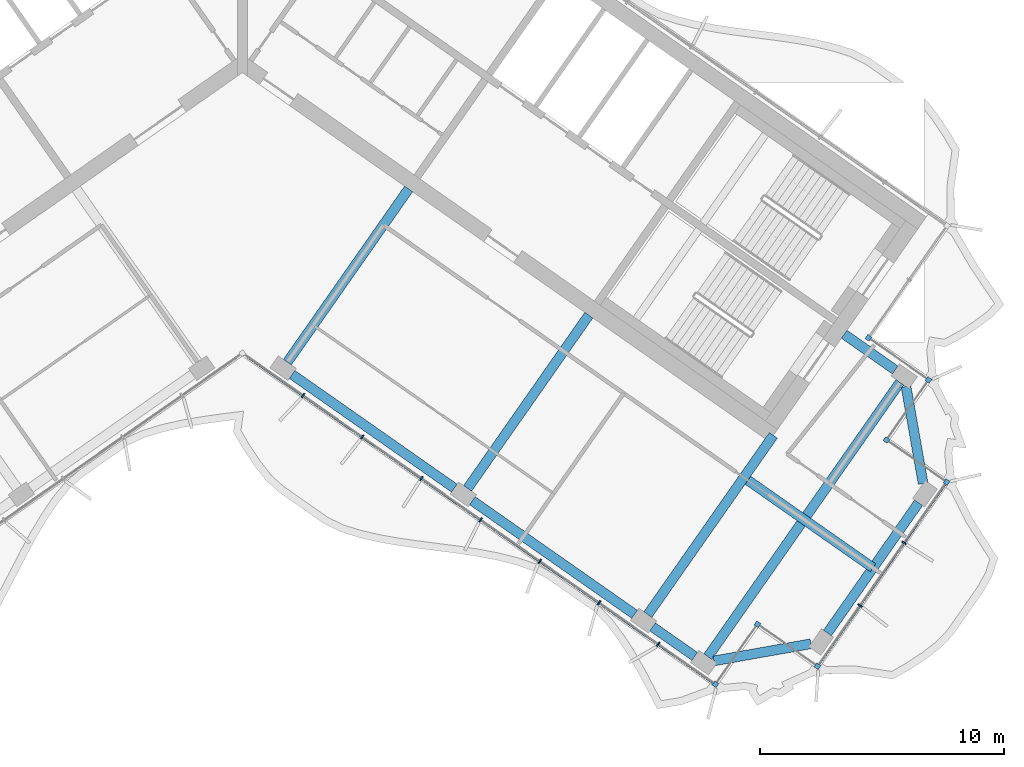
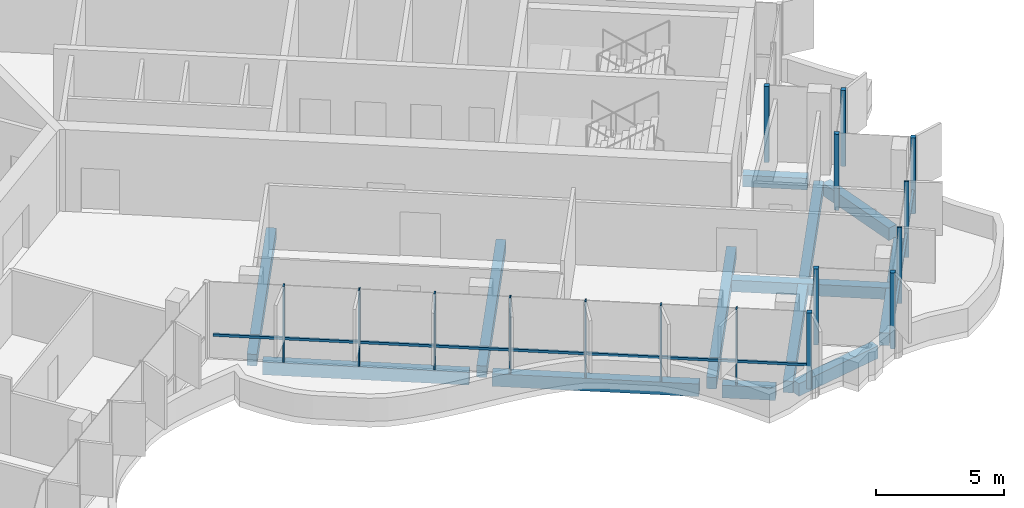
# One storey, part 4 of 18: 18 members, 12 beams, 2 elements without a shape of their own.
"""IFC4 building model written with IfcOpenShell, lengths in metres."""

from ifc_helpers import new_model, si_unit, direction, frame, origin, origin_2d, place, context, subcontext, project, spatial, rectangle, extrude, material, material_profile, profile_set, type_object, element, aggregate, save


model = new_model("IFC4")

# Units and contexts
model_context = context("Model", 3, precision=1e-05, world=origin(), true_north=direction((0.0, 1.0)))
body_context = subcontext(model_context, "Body", "Model", "MODEL_VIEW")
ifc_project = project(units=[si_unit("LENGTHUNIT", "METRE"), si_unit("AREAUNIT", "SQUARE_METRE"), si_unit("VOLUMEUNIT", "CUBIC_METRE"), si_unit("PLANEANGLEUNIT", "RADIAN"), si_unit("MASSUNIT", "GRAM", prefix="KILO")], contexts=[model_context])

# Site, building, storey
site_placement = place(None, origin())
site = spatial("IfcSite", under=ifc_project, at=site_placement, CompositionType="ELEMENT")
building_placement = place(site_placement, origin())
building = spatial("IfcBuilding", under=site, at=building_placement, Name="Tel Ilan Convention Tower", CompositionType="ELEMENT")
storey_placement = place(building_placement, frame((0.0, 0.0, 299.5)))
storey = spatial("IfcBuildingStorey", under=building, at=storey_placement, Name="L71", CompositionType="ELEMENT", Elevation=299.5)

# Beams
ifc_material_1 = material(Name="Concrete C40/50", Category="concrete")
ifc_material_profile_1 = material_profile(ifc_material_1, rectangle(XDim=0.39990234375, YDim=0.550048828125, at=origin_2d()), Name="RC 400x550")
ifc_profile_set_1 = profile_set([ifc_material_profile_1], Name="Concrete C40/50")
beam_type_1 = type_object("IfcBeamType", Name="Beam RC 400x550 Concrete C40/50", PredefinedType="BEAM", material=ifc_profile_set_1)
beam_1_placement = place(storey_placement, frame((26.700927734375, -13.385986328125, -0.554931640625), z_axis=(-0.819119449707, 0.573622983424, 0.0), x_axis=(-0.573622983424, -0.819119449707, 0.0)))
element("IfcBeam", 1, at=beam_1_placement, inside=storey, type_object=beam_type_1, Name="L71 beam E-E-BC-core", PredefinedType="BEAM", context=body_context, shape_type="SweptSolid", body=[
    extrude(rectangle(XDim=0.39990234375, YDim=0.550048828125, at=origin_2d()), origin(), (0.0, 0.0, 1.0), 2.5498046875),
])
for number, where, z_axis, x_axis, name in (
    (2, (1.83740234375, -13.06689453125, -0.554931640625), (0.573574099654, 0.819153680457, 0.0), (-0.819153680457, 0.573574099654, 0.0), "L71 beam E-E-F1-core"),
    (3, (9.209716796875, -18.229248046875, -0.554931640625), (0.573574099654, 0.819153680457, 0.0), (-0.819153680457, 0.573574099654, 0.0), "L71 beam E-E-F2-core"),
):
    element("IfcBeam", number, at=place(storey_placement, frame(where, z_axis=z_axis, x_axis=x_axis)), inside=storey, type_object=beam_type_1, Name=name, PredefinedType="BEAM", context=body_context, shape_type="SweptSolid", body=[
        extrude(rectangle(XDim=0.39990234375, YDim=0.550048828125, at=origin_2d()), origin(), (0.0, 0.0, 1.0), 8.64990234375),
    ])
beam_2_placement = place(storey_placement, frame((16.58203125, -23.391357421875, -0.554931640625), z_axis=(0.573584999642, 0.819146048141, 0.0), x_axis=(-0.819146048141, 0.573584999642, 0.0)))
element("IfcBeam", 4, at=beam_2_placement, inside=storey, type_object=beam_type_1, Name="L71 beam E-E-F3-core", PredefinedType="BEAM", context=body_context, shape_type="SweptSolid", body=[
    extrude(rectangle(XDim=0.39990234375, YDim=0.550048828125, at=origin_2d()), origin(), (0.0, 0.0, 1.0), 8.949951171875),
])
beam_3_placement = place(storey_placement, frame((20.6748046875, -17.89501953125, -0.554931640625), z_axis=(0.819171356584, -0.573548854548, 0.0), x_axis=(0.573548854548, 0.819171356584, 0.0)))
element("IfcBeam", 5, at=beam_3_placement, inside=storey, type_object=beam_type_1, Name="L71 beam E-core-end", PredefinedType="BEAM", context=body_context, shape_type="SweptSolid", body=[
    extrude(rectangle(XDim=0.39990234375, YDim=0.550048828125, at=origin_2d()), origin(), (0.0, 0.0, 1.0), 6.25),
])
beam_4_placement = place(storey_placement, frame((19.03955078125, -25.112060546875, -0.554931640625), z_axis=(0.57357117602, 0.819155727587, 0.0), x_axis=(-0.819155727587, 0.57357117602, 0.0)))
element("IfcBeam", 6, at=beam_4_placement, inside=storey, type_object=beam_type_1, Name="L71 beam E-E-FC-E-BC", PredefinedType="BEAM", context=body_context, shape_type="SweptSolid", body=[
    extrude(rectangle(XDim=0.39990234375, YDim=0.550048828125, at=origin_2d()), origin(), (0.0, 0.0, 1.0), 13.699951171875),
])
ifc_material_2 = material(Name="Concrete C40/50", Category="concrete")
ifc_material_profile_2 = material_profile(ifc_material_2, rectangle(XDim=0.39990234375, YDim=0.60009765625, at=origin_2d()), Name="RC 400x600")
ifc_profile_set_2 = profile_set([ifc_material_profile_2], Name="Concrete C40/50")
beam_type_2 = type_object("IfcBeamType", Name="Beam RC 400x600 Concrete C40/50", PredefinedType="BEAM", material=ifc_profile_set_2)
beam_5_placement = place(storey_placement, frame((2.033935546875, -13.57080078125, -0.580078125), z_axis=(0.81914553362, -0.573585734437, 0.0), x_axis=(0.573585734437, 0.81914553362, 0.0)))
element("IfcBeam", 7, at=beam_5_placement, inside=storey, type_object=beam_type_2, Name="L71 beam E-E-F1-E-F2", PredefinedType="BEAM", context=body_context, shape_type="SweptSolid", body=[
    extrude(rectangle(XDim=0.39990234375, YDim=0.60009765625, at=origin_2d()), origin(), (0.0, 0.0, 1.0), 8.099853515625),
])
beam_6_placement = place(storey_placement, frame((9.40625, -18.73291015625, -0.580078125), z_axis=(0.819155449703, -0.573571572885, 0.0), x_axis=(0.573571572885, 0.819155449703, 0.0)))
element("IfcBeam", 8, at=beam_6_placement, inside=storey, type_object=beam_type_2, Name="L71 beam E-E-F2-E-F3", PredefinedType="BEAM", context=body_context, shape_type="SweptSolid", body=[
    extrude(rectangle(XDim=0.39990234375, YDim=0.60009765625, at=origin_2d()), origin(), (0.0, 0.0, 1.0), 8.10009765625),
])
beam_7_placement = place(storey_placement, frame((16.778564453125, -23.895263671875, -0.580078125), z_axis=(0.819188222026, -0.573524765719, 0.0), x_axis=(0.573524765719, 0.819188222026, 0.0)))
element("IfcBeam", 9, at=beam_7_placement, inside=storey, type_object=beam_type_2, Name="L71 beam E-E-F3-E-FC", PredefinedType="BEAM", context=body_context, shape_type="SweptSolid", body=[
    extrude(rectangle(XDim=0.39990234375, YDim=0.60009765625, at=origin_2d()), origin(), (0.0, 0.0, 1.0), 2.099853515625),
])
beam_8_placement = place(storey_placement, frame((19.285400390625, -25.2841796875, -0.580078125), z_axis=(0.984804894423, 0.173664388751, 0.0), x_axis=(-0.173664388751, 0.984804894423, 0.0)))
element("IfcBeam", 10, at=beam_8_placement, inside=storey, type_object=beam_type_2, Name="L71 beam E-E-FC-E-E1", PredefinedType="BEAM", context=body_context, shape_type="SweptSolid", body=[
    extrude(rectangle(XDim=0.39990234375, YDim=0.60009765625, at=origin_2d()), origin(), (0.0, 0.0, 1.0), 4.030517578125),
])
beam_9_placement = place(storey_placement, frame((23.930419921875, -24.14208984375, -0.580078125), z_axis=(0.573563169494, 0.819161333682, 0.0), x_axis=(-0.819161333682, 0.573563169494, 0.0)))
element("IfcBeam", 11, at=beam_9_placement, inside=storey, type_object=beam_type_2, Name="L71 beam E-E-E1-E-E2", PredefinedType="BEAM", context=body_context, shape_type="SweptSolid", body=[
    extrude(rectangle(XDim=0.39990234375, YDim=0.60009765625, at=origin_2d()), origin(), (0.0, 0.0, 1.0), 6.500244140625),
])
beam_10_placement = place(storey_placement, frame((27.84326171875, -18.031005859375, -0.580078125), z_axis=(-0.173664388751, 0.984804894423, 0.0), x_axis=(-0.984804894423, -0.173664388751, 0.0)))
element("IfcBeam", 12, at=beam_10_placement, inside=storey, type_object=beam_type_2, Name="L71 beam E-E-E2-E-BC", PredefinedType="BEAM", context=body_context, shape_type="SweptSolid", body=[
    extrude(rectangle(XDim=0.39990234375, YDim=0.60009765625, at=origin_2d()), origin(), (0.0, 0.0, 1.0), 4.030517578125),
])

# Curtain wall, member
ifc_material_3 = material(Name="Aluminium, bronze anodised", Category="aluminium")
curtain_wall_type_1 = type_object("IfcCurtainWallType", Name="CW2 STICK CURTAIN WALL, SPANDREL PANELS", PredefinedType="NOTDEFINED", material=ifc_material_3)
curtain_wall_1_placement = place(storey_placement, origin())
curtain_wall_1 = element("IfcCurtainWall", 13, at=curtain_wall_1_placement, inside=storey, type_object=curtain_wall_type_1, Name="Curtain wall CW2-54.01", PredefinedType="NOTDEFINED")
ifc_material_4 = material(Name="Aluminium, bronze anodised", Category="aluminium")
ifc_material_profile_3 = material_profile(ifc_material_4, rectangle(XDim=0.199951171875, YDim=0.199951171875, at=origin_2d()), Name="CW CORNER MULLION 200x200")
ifc_profile_set_3 = profile_set([ifc_material_profile_3], Name="Aluminium, bronze anodised")
member_type_1 = type_object("IfcMemberType", Name="CW CORNER MULLION 200x200", PredefinedType="MULLION", material=ifc_profile_set_3)
member_1_placement = place(storey_placement, frame((25.607421875, -12.07080078125, 0.0), z_axis=(0.0, 0.0, 1.0), x_axis=(-0.819152044289, 0.573576436351, 0.0)))
member_1 = element("IfcMember", 14, at=member_1_placement, type_object=member_type_1, Name="Corner mullion", PredefinedType="MULLION", context=body_context, shape_type="SweptSolid", body=[
    extrude(rectangle(XDim=0.199951171875, YDim=0.199951171875, at=origin_2d()), origin(), (0.0, 0.0, 1.0), 3.6201171875),
])
aggregate(curtain_wall_1, [member_1])

# Curtain wall, members
ifc_material_5 = material(Name="Aluminium, bronze anodised", Category="aluminium")
curtain_wall_type_2 = type_object("IfcCurtainWallType", Name="CW5 STICK CURTAIN WALL, UPPER OFFICE LOW-IRON TINTED GLASS", PredefinedType="NOTDEFINED", material=ifc_material_5)
curtain_wall_2_placement = place(storey_placement, origin())
curtain_wall_2 = element("IfcCurtainWall", 15, at=curtain_wall_2_placement, inside=storey, type_object=curtain_wall_type_2, Name="Curtain wall CW5-54.02", PredefinedType="NOTDEFINED")
member_2_placement = place(storey_placement, frame((19.3466796875, -26.24267578125, 0.0), z_axis=(0.0, 0.0, 1.0), x_axis=(0.819152044289, -0.573576436351, 0.0)))
member_2 = element("IfcMember", 16, at=member_2_placement, type_object=member_type_1, Name="Corner mullion", PredefinedType="MULLION", context=body_context, shape_type="SweptSolid", body=[
    extrude(rectangle(XDim=0.199951171875, YDim=0.199951171875, at=origin_2d()), origin(), (0.0, 0.0, 1.0), 3.6201171875),
])
member_3_placement = place(storey_placement, frame((21.0673828125, -23.78515625, 0.0), z_axis=(0.0, 0.0, 1.0), x_axis=(0.573576436351, 0.819152044289, 0.0)))
member_3 = element("IfcMember", 17, at=member_3_placement, type_object=member_type_1, Name="Corner mullion", PredefinedType="MULLION", context=body_context, shape_type="SweptSolid", body=[
    extrude(rectangle(XDim=0.199951171875, YDim=0.199951171875, at=origin_2d()), origin(), (0.0, 0.0, 1.0), 3.6201171875),
])
member_4_placement = place(storey_placement, frame((23.52490234375, -25.505859375, 0.0), z_axis=(0.0, 0.0, 1.0), x_axis=(0.819152044289, -0.573576436351, 0.0)))
member_4 = element("IfcMember", 18, at=member_4_placement, type_object=member_type_1, Name="Corner mullion", PredefinedType="MULLION", context=body_context, shape_type="SweptSolid", body=[
    extrude(rectangle(XDim=0.199951171875, YDim=0.199951171875, at=origin_2d()), origin(), (0.0, 0.0, 1.0), 3.6201171875),
])
member_5_placement = place(storey_placement, frame((28.8017578125, -17.9697265625, 0.0), z_axis=(0.0, 0.0, 1.0), x_axis=(0.573576436351, 0.819152044289, 0.0)))
member_5 = element("IfcMember", 19, at=member_5_placement, type_object=member_type_1, Name="Corner mullion", PredefinedType="MULLION", context=body_context, shape_type="SweptSolid", body=[
    extrude(rectangle(XDim=0.199951171875, YDim=0.199951171875, at=origin_2d()), origin(), (0.0, 0.0, 1.0), 3.6201171875),
])
member_6_placement = place(storey_placement, frame((26.34423828125, -16.2490234375, 0.0), z_axis=(0.0, 0.0, 1.0), x_axis=(-0.819152044289, 0.573576436351, 0.0)))
member_6 = element("IfcMember", 20, at=member_6_placement, type_object=member_type_1, Name="Corner mullion", PredefinedType="MULLION", context=body_context, shape_type="SweptSolid", body=[
    extrude(rectangle(XDim=0.199951171875, YDim=0.199951171875, at=origin_2d()), origin(), (0.0, 0.0, 1.0), 3.6201171875),
])
member_7_placement = place(storey_placement, frame((28.06494140625, -13.79150390625, 0.0), z_axis=(0.0, 0.0, 1.0), x_axis=(0.573576436351, 0.819152044289, 0.0)))
member_7 = element("IfcMember", 21, at=member_7_placement, type_object=member_type_1, Name="Corner mullion", PredefinedType="MULLION", context=body_context, shape_type="SweptSolid", body=[
    extrude(rectangle(XDim=0.199951171875, YDim=0.199951171875, at=origin_2d()), origin(), (0.0, 0.0, 1.0), 3.6201171875),
])
ifc_material_6 = material(Name="Aluminium, bronze anodised", Category="aluminium")
ifc_material_profile_4 = material_profile(ifc_material_6, rectangle(XDim=0.06005859375, YDim=0.199951171875, at=origin_2d()), Name="CW MULLION 60x200")
ifc_profile_set_4 = profile_set([ifc_material_profile_4], Name="Aluminium, bronze anodised")
member_type_2 = type_object("IfcMemberType", Name="CW MULLION 60x200", PredefinedType="MULLION", material=ifc_profile_set_4)
member_8_placement = place(storey_placement, frame((2.478759765625, -14.431640625, 0.0), z_axis=(0.0, 0.0, 1.0), x_axis=(0.819152044289, -0.573576436351, 0.0)))
member_8 = element("IfcMember", 22, at=member_8_placement, type_object=member_type_2, Name="Mullion", PredefinedType="MULLION", context=body_context, shape_type="SweptSolid", body=[
    extrude(rectangle(XDim=0.06005859375, YDim=0.199951171875, at=origin_2d()), origin(), (0.0, 0.0, 1.0), 3.6201171875),
])
member_9_placement = place(storey_placement, frame((4.900146484375, -16.127197265625, 0.0), z_axis=(0.0, 0.0, 1.0), x_axis=(0.819152044289, -0.573576436351, 0.0)))
member_9 = element("IfcMember", 23, at=member_9_placement, type_object=member_type_2, Name="Mullion", PredefinedType="MULLION", context=body_context, shape_type="SweptSolid", body=[
    extrude(rectangle(XDim=0.06005859375, YDim=0.199951171875, at=origin_2d()), origin(), (0.0, 0.0, 1.0), 3.6201171875),
])
member_10_placement = place(storey_placement, frame((7.321533203125, -17.82275390625, 0.0), z_axis=(0.0, 0.0, 1.0), x_axis=(0.819152044289, -0.573576436351, 0.0)))
member_10 = element("IfcMember", 24, at=member_10_placement, type_object=member_type_2, Name="Mullion", PredefinedType="MULLION", context=body_context, shape_type="SweptSolid", body=[
    extrude(rectangle(XDim=0.06005859375, YDim=0.199951171875, at=origin_2d()), origin(), (0.0, 0.0, 1.0), 3.6201171875),
])
member_11_placement = place(storey_placement, frame((9.742919921875, -19.51806640625, 0.0), z_axis=(0.0, 0.0, 1.0), x_axis=(0.819152044289, -0.573576436351, 0.0)))
member_11 = element("IfcMember", 25, at=member_11_placement, type_object=member_type_2, Name="Mullion", PredefinedType="MULLION", context=body_context, shape_type="SweptSolid", body=[
    extrude(rectangle(XDim=0.06005859375, YDim=0.199951171875, at=origin_2d()), origin(), (0.0, 0.0, 1.0), 3.6201171875),
])
member_12_placement = place(storey_placement, frame((12.164306640625, -21.213623046875, 0.0), z_axis=(0.0, 0.0, 1.0), x_axis=(0.819152044289, -0.573576436351, 0.0)))
member_12 = element("IfcMember", 26, at=member_12_placement, type_object=member_type_2, Name="Mullion", PredefinedType="MULLION", context=body_context, shape_type="SweptSolid", body=[
    extrude(rectangle(XDim=0.06005859375, YDim=0.199951171875, at=origin_2d()), origin(), (0.0, 0.0, 1.0), 3.6201171875),
])
member_13_placement = place(storey_placement, frame((14.585693359375, -22.9091796875, 0.0), z_axis=(0.0, 0.0, 1.0), x_axis=(0.819152044289, -0.573576436351, 0.0)))
member_13 = element("IfcMember", 27, at=member_13_placement, type_object=member_type_2, Name="Mullion", PredefinedType="MULLION", context=body_context, shape_type="SweptSolid", body=[
    extrude(rectangle(XDim=0.06005859375, YDim=0.199951171875, at=origin_2d()), origin(), (0.0, 0.0, 1.0), 3.6201171875),
])
member_14_placement = place(storey_placement, frame((17.007080078125, -24.6044921875, 0.0), z_axis=(0.0, 0.0, 1.0), x_axis=(0.819152044289, -0.573576436351, 0.0)))
member_14 = element("IfcMember", 28, at=member_14_placement, type_object=member_type_2, Name="Mullion", PredefinedType="MULLION", context=body_context, shape_type="SweptSolid", body=[
    extrude(rectangle(XDim=0.06005859375, YDim=0.199951171875, at=origin_2d()), origin(), (0.0, 0.0, 1.0), 3.6201171875),
])
member_15_placement = place(storey_placement, frame((25.2646484375, -23.021240234375, 0.0), z_axis=(0.0, 0.0, 1.0), x_axis=(0.573576436351, 0.819152044289, 0.0)))
member_15 = element("IfcMember", 29, at=member_15_placement, type_object=member_type_2, Name="Mullion", PredefinedType="MULLION", context=body_context, shape_type="SweptSolid", body=[
    extrude(rectangle(XDim=0.06005859375, YDim=0.199951171875, at=origin_2d()), origin(), (0.0, 0.0, 1.0), 3.6201171875),
])
member_16_placement = place(storey_placement, frame((27.061767578125, -20.45458984375, 0.0), z_axis=(0.0, 0.0, 1.0), x_axis=(0.573576436351, 0.819152044289, 0.0)))
member_16 = element("IfcMember", 30, at=member_16_placement, type_object=member_type_2, Name="Mullion", PredefinedType="MULLION", context=body_context, shape_type="SweptSolid", body=[
    extrude(rectangle(XDim=0.06005859375, YDim=0.199951171875, at=origin_2d()), origin(), (0.0, 0.0, 1.0), 3.6201171875),
])
ifc_material_7 = material(Name="Aluminium, bronze anodised", Category="aluminium")
ifc_material_profile_5 = material_profile(ifc_material_7, rectangle(XDim=0.10009765625, YDim=0.1201171875, at=origin_2d()), Name="CW TRANSOM 100x120")
ifc_profile_set_5 = profile_set([ifc_material_profile_5], Name="Aluminium, bronze anodised")
member_type_3 = type_object("IfcMemberType", Name="CW TRANSOM 100x120", PredefinedType="USERDEFINED", material=ifc_profile_set_5)
member_17_placement = place(storey_placement, frame((0.22119140625, -12.850830078125, 1.10009765625), z_axis=(0.81915001336, -0.573579336808, 0.0), x_axis=(0.573579336808, 0.81915001336, 0.0)))
member_17 = element("IfcMember", 31, at=member_17_placement, type_object=member_type_3, Name="Transom", ObjectType="TRANSOM", PredefinedType="USERDEFINED", context=body_context, shape_type="SweptSolid", body=[
    extrude(rectangle(XDim=0.10009765625, YDim=0.1201171875, at=origin_2d()), origin(), (0.0, 0.0, 1.0), 23.247802734375),
])
member_18_placement = place(storey_placement, frame((23.58203125, -25.424072265625, 1.10009765625), z_axis=(0.573591598124, 0.819141427692, 0.0), x_axis=(-0.819141427692, 0.573591598124, 0.0)))
member_18 = element("IfcMember", 32, at=member_18_placement, type_object=member_type_3, Name="Transom", ObjectType="TRANSOM", PredefinedType="USERDEFINED", context=body_context, shape_type="SweptSolid", body=[
    extrude(rectangle(XDim=0.10009765625, YDim=0.1201171875, at=origin_2d()), origin(), (0.0, 0.0, 1.0), 9.0),
])
aggregate(curtain_wall_2, [member_8, member_9, member_10, member_11, member_12, member_13, member_14, member_2, member_17, member_3, member_4, member_15, member_16, member_5, member_18, member_6, member_7])

save(model, "model.ifc")
